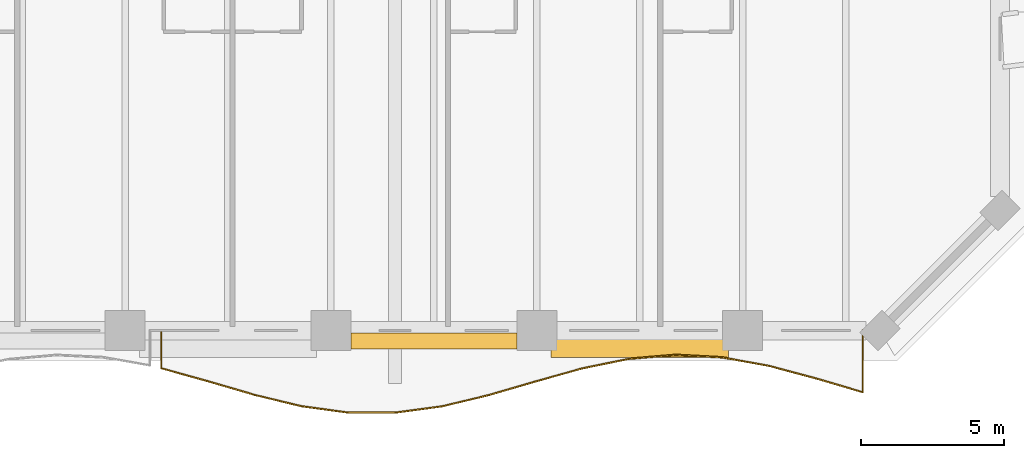
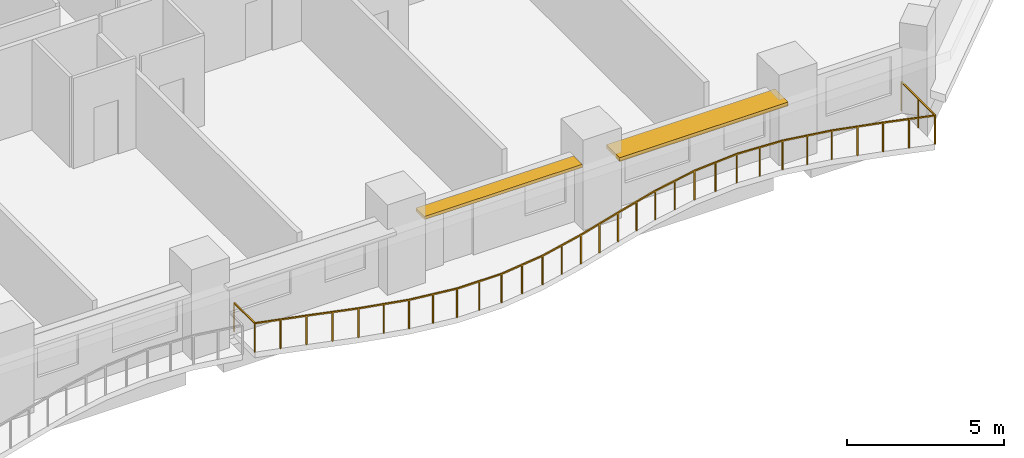
# One storey, part 14 of 15: 2 shading devices, 1 railing.
"""IFC4 building model written with IfcOpenShell, lengths in metres."""

from ifc_helpers import new_model, si_unit, direction, frame, origin, origin_2d, place, context, subcontext, project, spatial, rectangle, extrude, material, layer, layer_set, type_object, element, save


model = new_model("IFC4")

# Units and contexts
model_context = context("Model", 3, precision=1e-05, world=origin(), true_north=direction((0.0, 1.0)))
body_context = subcontext(model_context, "Body", "Model", "MODEL_VIEW")
ifc_project = project(units=[si_unit("LENGTHUNIT", "METRE"), si_unit("AREAUNIT", "SQUARE_METRE"), si_unit("VOLUMEUNIT", "CUBIC_METRE"), si_unit("PLANEANGLEUNIT", "RADIAN"), si_unit("MASSUNIT", "GRAM", prefix="KILO")], contexts=[model_context])

# Site, building, storey
site_placement = place(None, origin())
site = spatial("IfcSite", under=ifc_project, at=site_placement, CompositionType="ELEMENT")
building_placement = place(site_placement, origin())
building = spatial("IfcBuilding", under=site, at=building_placement, Name="Kaelvorn Grand Hotel", CompositionType="ELEMENT")
storey_placement = place(building_placement, frame((0.0, 0.0, 68.89990234375)))
storey = spatial("IfcBuildingStorey", under=building, at=storey_placement, Name="L15", CompositionType="ELEMENT", Elevation=68.89990234375)

# Railing
ifc_material_1 = material(Name="Stainless Steel", Category="steel")
railing_type = type_object("IfcRailingType", Name="RL-BALC-1150", PredefinedType="BALUSTRADE", material=ifc_material_1)
railing_placement = place(storey_placement, frame((54.666748046875, 0.0, 0.0)))
element("IfcRailing", 1, at=railing_placement, inside=storey, type_object=railing_type, Name="L15 Scalloped Wave Balcony Balustrade GR1-3", PredefinedType="BALUSTRADE", context=body_context, shape_type="SweptSolid", body=[
    extrude(rectangle(XDim=0.048095703125, YDim=0.048095703125, at=origin_2d()), frame((0.0, 0.0, 1.1259765625), z_axis=(0.0, -1.0, 0.0), x_axis=(1.0, 0.0, 0.0)), (0.0, 0.0, 1.0), 1.318359375),
    extrude(rectangle(XDim=0.048095703125, YDim=0.048095703125, at=origin_2d()), frame((0.0, -1.318359375, 1.1259765625), z_axis=(0.963251690304, -0.268600411627, 0.0), x_axis=(0.268600411627, 0.963251690304, 0.0)), (0.0, 0.0, 1.0), 1.697998046875),
    extrude(rectangle(XDim=0.048095703125, YDim=0.048095703125, at=origin_2d()), frame((1.635498046875, -1.7744140625, 1.1259765625), z_axis=(0.959763780104, -0.280808629498, 0.0), x_axis=(0.280808629498, 0.959763780104, 0.0)), (0.0, 0.0, 1.0), 1.7041015625),
    extrude(rectangle(XDim=0.048095703125, YDim=0.048095703125, at=origin_2d()), frame((3.27099609375, -2.2529296875, 1.1259765625), z_axis=(0.972148369978, -0.234366266236, 0.0), x_axis=(0.234366266236, 0.972148369978, 0.0)), (0.0, 0.0, 1.0), 1.682373046875),
    extrude(rectangle(XDim=0.048095703125, YDim=0.048095703125, at=origin_2d()), frame((4.906494140625, -2.647216796875, 1.1259765625), z_axis=(0.990842762627, -0.13502081228, 0.0), x_axis=(0.13502081228, 0.990842762627, 0.0)), (0.0, 0.0, 1.0), 1.65087890625),
    extrude(rectangle(XDim=0.048095703125, YDim=0.048095703125, at=origin_2d()), frame((6.542236328125, -2.8701171875, 1.1259765625), z_axis=(0.999999286934, -0.001194207239, 0.0), x_axis=(0.001194207239, 0.999999286934, 0.0)), (0.0, 0.0, 1.0), 1.635498046875),
    extrude(rectangle(XDim=0.048095703125, YDim=0.048095703125, at=origin_2d()), frame((8.177734375, -2.8720703125, 1.1259765625), z_axis=(0.991115126173, 0.133006791824, 0.0), x_axis=(-0.133006791824, 0.991115126173, 0.0)), (0.0, 0.0, 1.0), 1.650146484375),
    extrude(rectangle(XDim=0.048095703125, YDim=0.048095703125, at=origin_2d()), frame((9.813232421875, -2.652587890625, 1.1259765625), z_axis=(0.972412331171, 0.233268639527, 0.0), x_axis=(-0.233268639527, 0.972412331171, 0.0)), (0.0, 0.0, 1.0), 1.681884765625),
    extrude(rectangle(XDim=0.048095703125, YDim=0.048095703125, at=origin_2d()), frame((11.44873046875, -2.26025390625, 1.1259765625), z_axis=(0.959890814744, 0.280374078277, 0.0), x_axis=(-0.280374078277, 0.959890814744, 0.0)), (0.0, 0.0, 1.0), 1.7041015625),
    extrude(rectangle(XDim=0.048095703125, YDim=0.048095703125, at=origin_2d()), frame((13.08447265625, -1.782470703125, 1.1259765625), z_axis=(0.963065481096, 0.269267300506, 0.0), x_axis=(-0.269267300506, 0.963065481096, 0.0)), (0.0, 0.0, 1.0), 1.6982421875),
    extrude(rectangle(XDim=0.048095703125, YDim=0.048095703125, at=origin_2d()), frame((14.719970703125, -1.3251953125, 1.1259765625), z_axis=(0.979635901777, 0.200782220203, 0.0), x_axis=(-0.200782220203, 0.979635901777, 0.0)), (0.0, 0.0, 1.0), 1.66943359375),
    extrude(rectangle(XDim=0.048095703125, YDim=0.048095703125, at=origin_2d()), frame((16.35546875, -0.989990234375, 1.1259765625), z_axis=(0.996424697857, 0.084485628957, 0.0), x_axis=(-0.084485628957, 0.996424697857, 0.0)), (0.0, 0.0, 1.0), 1.641357421875),
    extrude(rectangle(XDim=0.048095703125, YDim=0.048095703125, at=origin_2d()), frame((17.990966796875, -0.851318359375, 1.1259765625), z_axis=(0.998527034958, -0.054256432412, 0.0), x_axis=(0.054256432412, 0.998527034958, 0.0)), (0.0, 0.0, 1.0), 1.637939453125),
    extrude(rectangle(XDim=0.048095703125, YDim=0.048095703125, at=origin_2d()), frame((19.62646484375, -0.940185546875, 1.1259765625), z_axis=(0.983977821186, -0.178290906704, 0.0), x_axis=(0.178290906704, 0.983977821186, 0.0)), (0.0, 0.0, 1.0), 1.662353515625),
    extrude(rectangle(XDim=0.048095703125, YDim=0.048095703125, at=origin_2d()), frame((21.26220703125, -1.236572265625, 1.1259765625), z_axis=(0.965925524936, -0.258820169766, 0.0), x_axis=(0.258820169766, 0.965925524936, 0.0)), (0.0, 0.0, 1.0), 1.693115234375),
    extrude(rectangle(XDim=0.048095703125, YDim=0.048095703125, at=origin_2d()), frame((22.897705078125, -1.6748046875, 1.1259765625), z_axis=(0.959105197492, -0.283049854522, 0.0), x_axis=(0.283049854522, 0.959105197492, 0.0)), (0.0, 0.0, 1.0), 1.705322265625),
    extrude(rectangle(XDim=0.048095703125, YDim=0.048095703125, at=origin_2d()), frame((24.533203125, -2.157470703125, 1.1259765625), z_axis=(0.0, 1.0, 0.0), x_axis=(-1.0, 0.0, 0.0)), (0.0, 0.0, 1.0), 2.157470703125),
    extrude(rectangle(XDim=0.0419921875, YDim=0.0419921875, at=origin_2d()), origin(), (0.0, 0.0, 1.0), 1.101806640625),
    extrude(rectangle(XDim=0.0419921875, YDim=0.0419921875, at=origin_2d()), frame((0.0, -1.318359375, 0.0)), (0.0, 0.0, 1.0), 1.101806640625),
    extrude(rectangle(XDim=0.0419921875, YDim=0.0419921875, at=origin_2d()), frame((0.81787109375, -1.54638671875, 0.0)), (0.0, 0.0, 1.0), 1.101806640625),
    extrude(rectangle(XDim=0.0419921875, YDim=0.0419921875, at=origin_2d()), frame((1.635498046875, -1.7744140625, 0.0)), (0.0, 0.0, 1.0), 1.101806640625),
    extrude(rectangle(XDim=0.0419921875, YDim=0.0419921875, at=origin_2d()), frame((2.453125, -2.013671875, 0.0)), (0.0, 0.0, 1.0), 1.101806640625),
    extrude(rectangle(XDim=0.0419921875, YDim=0.0419921875, at=origin_2d()), frame((3.27099609375, -2.2529296875, 0.0)), (0.0, 0.0, 1.0), 1.101806640625),
    extrude(rectangle(XDim=0.0419921875, YDim=0.0419921875, at=origin_2d()), frame((4.0888671875, -2.4501953125, 0.0)), (0.0, 0.0, 1.0), 1.101806640625),
    extrude(rectangle(XDim=0.0419921875, YDim=0.0419921875, at=origin_2d()), frame((4.906494140625, -2.647216796875, 0.0)), (0.0, 0.0, 1.0), 1.101806640625),
    extrude(rectangle(XDim=0.0419921875, YDim=0.0419921875, at=origin_2d()), frame((5.724365234375, -2.7587890625, 0.0)), (0.0, 0.0, 1.0), 1.101806640625),
    extrude(rectangle(XDim=0.0419921875, YDim=0.0419921875, at=origin_2d()), frame((6.542236328125, -2.8701171875, 0.0)), (0.0, 0.0, 1.0), 1.101806640625),
    extrude(rectangle(XDim=0.0419921875, YDim=0.0419921875, at=origin_2d()), frame((7.35986328125, -2.87109375, 0.0)), (0.0, 0.0, 1.0), 1.101806640625),
    extrude(rectangle(XDim=0.0419921875, YDim=0.0419921875, at=origin_2d()), frame((8.177734375, -2.8720703125, 0.0)), (0.0, 0.0, 1.0), 1.101806640625),
    extrude(rectangle(XDim=0.0419921875, YDim=0.0419921875, at=origin_2d()), frame((8.99560546875, -2.76220703125, 0.0)), (0.0, 0.0, 1.0), 1.101806640625),
    extrude(rectangle(XDim=0.0419921875, YDim=0.0419921875, at=origin_2d()), frame((9.813232421875, -2.652587890625, 0.0)), (0.0, 0.0, 1.0), 1.101806640625),
    extrude(rectangle(XDim=0.0419921875, YDim=0.0419921875, at=origin_2d()), frame((10.630859375, -2.45654296875, 0.0)), (0.0, 0.0, 1.0), 1.101806640625),
    extrude(rectangle(XDim=0.0419921875, YDim=0.0419921875, at=origin_2d()), frame((11.44873046875, -2.26025390625, 0.0)), (0.0, 0.0, 1.0), 1.101806640625),
    extrude(rectangle(XDim=0.0419921875, YDim=0.0419921875, at=origin_2d()), frame((12.2666015625, -2.021484375, 0.0)), (0.0, 0.0, 1.0), 1.101806640625),
    extrude(rectangle(XDim=0.0419921875, YDim=0.0419921875, at=origin_2d()), frame((13.08447265625, -1.782470703125, 0.0)), (0.0, 0.0, 1.0), 1.101806640625),
    extrude(rectangle(XDim=0.0419921875, YDim=0.0419921875, at=origin_2d()), frame((13.90234375, -1.5537109375, 0.0)), (0.0, 0.0, 1.0), 1.101806640625),
    extrude(rectangle(XDim=0.0419921875, YDim=0.0419921875, at=origin_2d()), frame((14.719970703125, -1.3251953125, 0.0)), (0.0, 0.0, 1.0), 1.101806640625),
    extrude(rectangle(XDim=0.0419921875, YDim=0.0419921875, at=origin_2d()), frame((15.53759765625, -1.15771484375, 0.0)), (0.0, 0.0, 1.0), 1.101806640625),
    extrude(rectangle(XDim=0.0419921875, YDim=0.0419921875, at=origin_2d()), frame((16.35546875, -0.989990234375, 0.0)), (0.0, 0.0, 1.0), 1.101806640625),
    extrude(rectangle(XDim=0.0419921875, YDim=0.0419921875, at=origin_2d()), frame((17.17333984375, -0.920654296875, 0.0)), (0.0, 0.0, 1.0), 1.101806640625),
    extrude(rectangle(XDim=0.0419921875, YDim=0.0419921875, at=origin_2d()), frame((17.990966796875, -0.851318359375, 0.0)), (0.0, 0.0, 1.0), 1.101806640625),
    extrude(rectangle(XDim=0.0419921875, YDim=0.0419921875, at=origin_2d()), frame((18.80859375, -0.895751953125, 0.0)), (0.0, 0.0, 1.0), 1.101806640625),
    extrude(rectangle(XDim=0.0419921875, YDim=0.0419921875, at=origin_2d()), frame((19.62646484375, -0.940185546875, 0.0)), (0.0, 0.0, 1.0), 1.101806640625),
    extrude(rectangle(XDim=0.0419921875, YDim=0.0419921875, at=origin_2d()), frame((20.4443359375, -1.08837890625, 0.0)), (0.0, 0.0, 1.0), 1.101806640625),
    extrude(rectangle(XDim=0.0419921875, YDim=0.0419921875, at=origin_2d()), frame((21.26220703125, -1.236572265625, 0.0)), (0.0, 0.0, 1.0), 1.101806640625),
    extrude(rectangle(XDim=0.0419921875, YDim=0.0419921875, at=origin_2d()), frame((22.080078125, -1.45556640625, 0.0)), (0.0, 0.0, 1.0), 1.101806640625),
    extrude(rectangle(XDim=0.0419921875, YDim=0.0419921875, at=origin_2d()), frame((22.897705078125, -1.6748046875, 0.0)), (0.0, 0.0, 1.0), 1.101806640625),
    extrude(rectangle(XDim=0.0419921875, YDim=0.0419921875, at=origin_2d()), frame((23.71533203125, -1.916015625, 0.0)), (0.0, 0.0, 1.0), 1.101806640625),
    extrude(rectangle(XDim=0.0419921875, YDim=0.0419921875, at=origin_2d()), frame((24.533203125, -2.157470703125, 0.0)), (0.0, 0.0, 1.0), 1.101806640625),
    extrude(rectangle(XDim=0.0419921875, YDim=0.0419921875, at=origin_2d()), frame((24.533203125, -1.07861328125, 0.0)), (0.0, 0.0, 1.0), 1.101806640625),
    extrude(rectangle(XDim=0.0419921875, YDim=0.0419921875, at=origin_2d()), frame((24.533203125, 0.0, 0.0)), (0.0, 0.0, 1.0), 1.101806640625),
])

# Shading devices
ifc_material_2 = material(Name="Precast concrete C45/55", Category="concrete")
ifc_layer_1 = layer(ifc_material_2, 0.1201171875)
ifc_layer_set_1 = layer_set([ifc_layer_1], Name="Precast concrete C45/55")
shading_device_type_1 = type_object("IfcShadingDeviceType", Name="SHD-SUNSHADE-550", PredefinedType="USERDEFINED", material=ifc_layer_set_1)
shading_device_1_placement = place(storey_placement, frame((64.199951171875, -0.364990234375, 2.419921875), z_axis=(0.0, 0.0, 1.0), x_axis=(1.0, 0.0, 0.0)))
element("IfcShadingDevice", 2, at=shading_device_1_placement, inside=storey, type_object=shading_device_type_1, Name="L15 Horizontal Concrete Sunshade Band SS-09", ObjectType="SUNSHADE", PredefinedType="USERDEFINED", context=body_context, shape_type="SweptSolid", body=[
    extrude(rectangle(XDim=5.800048828125, YDim=0.550048828125, at=origin_2d()), origin(), (0.0, 0.0, 1.0), 0.1201171875),
])
ifc_layer_2 = layer(ifc_material_2, 0.139892578125)
ifc_layer_set_2 = layer_set([ifc_layer_2], Name="Precast concrete C45/55")
shading_device_type_2 = type_object("IfcShadingDeviceType", Name="SHD-SUNSHADE-850", PredefinedType="USERDEFINED", material=ifc_layer_set_2)
shading_device_2_placement = place(storey_placement, frame((71.39990234375, -0.514892578125, 2.41015625), z_axis=(0.0, 0.0, 1.0), x_axis=(1.0, 0.0, 0.0)))
element("IfcShadingDevice", 3, at=shading_device_2_placement, inside=storey, type_object=shading_device_type_2, Name="L15 Horizontal Concrete Sunshade Band SS-10", ObjectType="SUNSHADE", PredefinedType="USERDEFINED", context=body_context, shape_type="SweptSolid", body=[
    extrude(rectangle(XDim=6.199951171875, YDim=0.85009765625, at=origin_2d()), origin(), (0.0, 0.0, 1.0), 0.139892578125),
])

save(model, "model.ifc")
